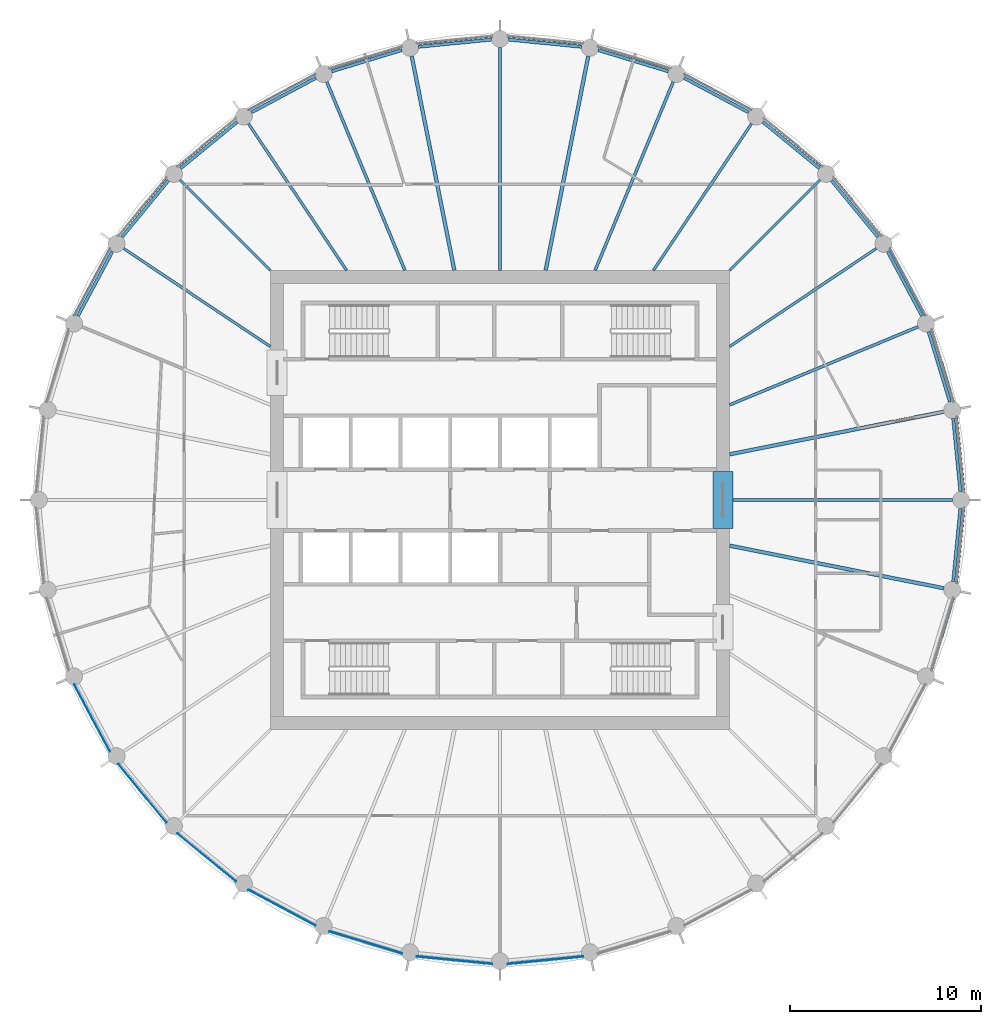
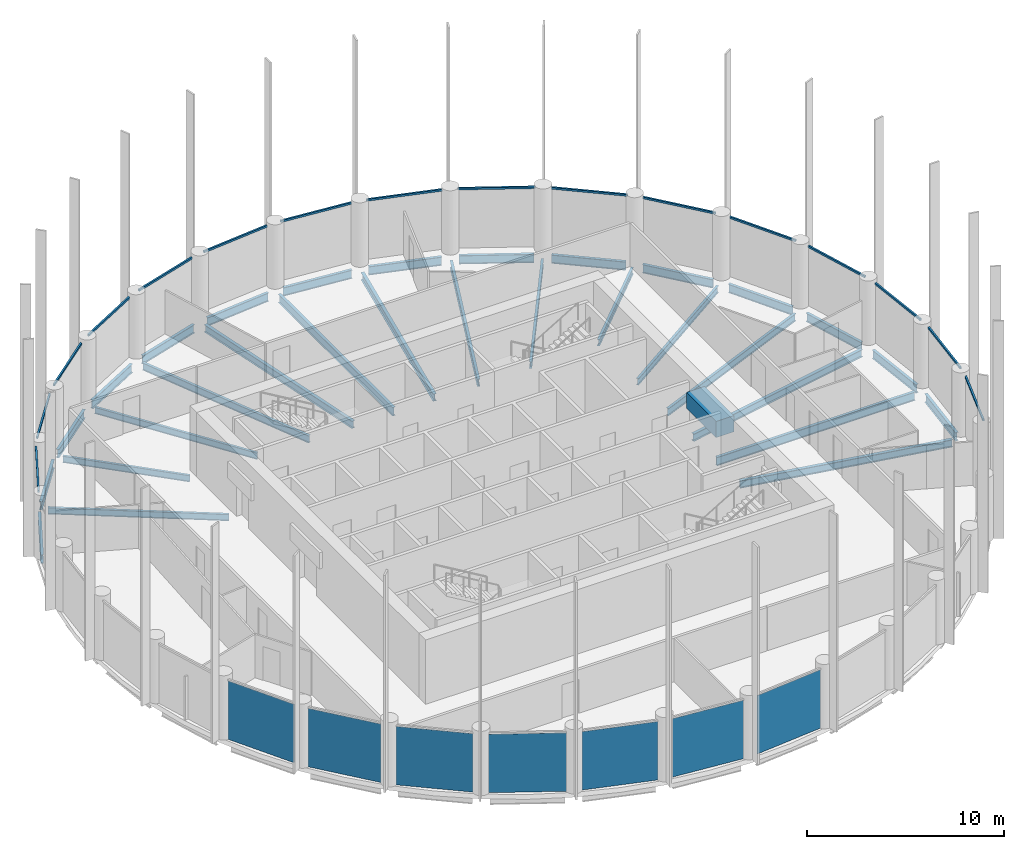
# One storey, part 2 of 7: 31 beams, 16 members, 7 plates, 23 elements without a shape of their own.
"""IFC4 building model written with IfcOpenShell, lengths in metres."""

from ifc_helpers import new_model, si_unit, direction, frame, origin, origin_2d, place, context, subcontext, project, spatial, rectangle, i_section, extrude, material, layer, layer_set, material_profile, profile_set, type_object, element, aggregate, save


model = new_model("IFC4")

# Units and contexts
model_context = context("Model", 3, precision=1e-05, world=origin(), true_north=direction((0.0, 1.0)))
body_context = subcontext(model_context, "Body", "Model", "MODEL_VIEW")
ifc_project = project(units=[si_unit("LENGTHUNIT", "METRE"), si_unit("AREAUNIT", "SQUARE_METRE"), si_unit("VOLUMEUNIT", "CUBIC_METRE"), si_unit("PLANEANGLEUNIT", "RADIAN"), si_unit("MASSUNIT", "GRAM", prefix="KILO")], contexts=[model_context])

# Site, building, storey
site_placement = place(None, origin())
site = spatial("IfcSite", under=ifc_project, at=site_placement, CompositionType="ELEMENT")
building_placement = place(site_placement, origin())
building = spatial("IfcBuilding", under=site, at=building_placement, Name="Corvane Civic Tower", CompositionType="ELEMENT")
storey_placement = place(building_placement, frame((0.0, 0.0, 311.0)))
storey = spatial("IfcBuildingStorey", under=building, at=storey_placement, Name="L74", CompositionType="ELEMENT", Elevation=311.0)

# Beams
ifc_material_1 = material(Name="Concrete C40/50", Category="concrete")
ifc_material_profile_1 = material_profile(ifc_material_1, rectangle(XDim=1.050048828125, YDim=1.0, at=origin_2d()), Name="COUPLING BEAM 1050X1000")
ifc_profile_set_1 = profile_set([ifc_material_profile_1], Name="Concrete C40/50")
beam_type_1 = type_object("IfcBeamType", Name="COUPLING BEAM COUPLING BEAM 1050X1000", PredefinedType="BEAM", material=ifc_profile_set_1)
beam_1_placement = place(storey_placement, frame((11.64990234375, -1.5, 2.60009765625), z_axis=(0.0, 1.0, 0.0), x_axis=(-1.0, 0.0, 0.0)))
element("IfcBeam", 1, at=beam_1_placement, inside=storey, type_object=beam_type_1, Name="BM-L74-cpl-CW-LE", PredefinedType="BEAM", context=body_context, shape_type="SweptSolid", body=[
    extrude(rectangle(XDim=1.050048828125, YDim=1.0, at=origin_2d()), origin(), (0.0, 0.0, 1.0), 3.0),
])
ifc_material_2 = material(Name="Steel ASTM A992 Gr 50", Category="steel")
ifc_material_profile_2 = material_profile(ifc_material_2, i_section(OverallWidth=0.165771484375, OverallDepth=0.5283203125, WebThickness=0.009765625, FlangeThickness=0.013671875, at=origin_2d()), Name="W21X50")
ifc_profile_set_2 = profile_set([ifc_material_profile_2], Name="Steel ASTM A992 Gr 50")
beam_type_2 = type_object("IfcBeamType", Name="EDGE BEAM W21X50", PredefinedType="BEAM", material=ifc_profile_set_2)
for number, where, z_axis, x_axis, name in (
    (2, (0.44775390625, 24.055908203125, -0.564208984375), (0.995187721162, -0.097986732007, 0.0), (0.097986732007, 0.995187721162, 0.0), "BM-L74-E01"),
    (3, (5.13232421875, 23.50634765625, -0.564208984375), (0.95692555902, -0.290333385085, 0.0), (0.290333385085, 0.95692555902, 0.0), "BM-L74-E02"),
):
    element("IfcBeam", number, at=place(storey_placement, frame(where, z_axis=z_axis, x_axis=x_axis)), inside=storey, type_object=beam_type_2, Name=name, PredefinedType="BEAM", context=body_context, shape_type="SweptSolid", body=[
        extrude(i_section(OverallWidth=0.165771484375, OverallDepth=0.5283203125, WebThickness=0.009765625, FlangeThickness=0.013671875, at=origin_2d()), origin(), (0.0, 0.0, 1.0), 3.824462890625),
    ])
beam_2_placement = place(storey_placement, frame((9.61962890625, 22.05322265625, -0.564208984375), z_axis=(0.881914279413, -0.471409804487, 0.0), x_axis=(0.471409804487, 0.881914279413, 0.0)))
element("IfcBeam", 4, at=beam_2_placement, inside=storey, type_object=beam_type_2, Name="BM-L74-E03", PredefinedType="BEAM", context=body_context, shape_type="SweptSolid", body=[
    extrude(i_section(OverallWidth=0.165771484375, OverallDepth=0.5283203125, WebThickness=0.009765625, FlangeThickness=0.013671875, at=origin_2d()), origin(), (0.0, 0.0, 1.0), 3.82421875),
])
for number, where, z_axis, x_axis, name in (
    (5, (13.737060546875, 19.7529296875, -0.564208984375), (0.772997914867, -0.634408562057, 0.0), (0.634408562057, 0.772997914867, 0.0), "BM-L74-E04"),
    (6, (17.32666015625, 16.693359375, -0.564208984375), (0.634408562057, -0.772997914867, 0.0), (0.772997914867, 0.634408562057, 0.0), "BM-L74-E05"),
):
    element("IfcBeam", number, at=place(storey_placement, frame(where, z_axis=z_axis, x_axis=x_axis)), inside=storey, type_object=beam_type_2, Name=name, PredefinedType="BEAM", context=body_context, shape_type="SweptSolid", body=[
        extrude(i_section(OverallWidth=0.165771484375, OverallDepth=0.5283203125, WebThickness=0.009765625, FlangeThickness=0.013671875, at=origin_2d()), origin(), (0.0, 0.0, 1.0), 3.824462890625),
    ])
beam_3_placement = place(storey_placement, frame((20.25048828125, 12.9921875, -0.564208984375), z_axis=(0.471409804487, -0.881914279413, 0.0), x_axis=(0.881914279413, 0.471409804487, 0.0)))
element("IfcBeam", 7, at=beam_3_placement, inside=storey, type_object=beam_type_2, Name="BM-L74-E06", PredefinedType="BEAM", context=body_context, shape_type="SweptSolid", body=[
    extrude(i_section(OverallWidth=0.165771484375, OverallDepth=0.5283203125, WebThickness=0.009765625, FlangeThickness=0.013671875, at=origin_2d()), origin(), (0.0, 0.0, 1.0), 3.82421875),
])
for number, where, z_axis, x_axis, name in (
    (8, (22.39599609375, 8.7919921875, -0.564208984375), (0.290333385085, -0.95692555902, 0.0), (0.95692555902, 0.290333385085, 0.0), "BM-L74-E07"),
    (9, (23.68115234375, 4.25390625, -0.564208984375), (0.097986732007, -0.995187721162, 0.0), (0.995187721162, 0.097986732007, 0.0), "BM-L74-E08"),
    (10, (24.055908203125, -0.44775390625, -0.564208984375), (-0.097986732007, -0.995187721162, 0.0), (0.995187721162, -0.097986732007, 0.0), "BM-L74-E09"),
):
    element("IfcBeam", number, at=place(storey_placement, frame(where, z_axis=z_axis, x_axis=x_axis)), inside=storey, type_object=beam_type_2, Name=name, PredefinedType="BEAM", context=body_context, shape_type="SweptSolid", body=[
        extrude(i_section(OverallWidth=0.165771484375, OverallDepth=0.5283203125, WebThickness=0.009765625, FlangeThickness=0.013671875, at=origin_2d()), origin(), (0.0, 0.0, 1.0), 3.824462890625),
    ])
beam_4_placement = place(storey_placement, frame((-22.05322265625, 9.61962890625, -0.564208984375), z_axis=(0.471409804487, 0.881914279413, 0.0), x_axis=(-0.881914279413, 0.471409804487, 0.0)))
element("IfcBeam", 11, at=beam_4_placement, inside=storey, type_object=beam_type_2, Name="BM-L74-E27", PredefinedType="BEAM", context=body_context, shape_type="SweptSolid", body=[
    extrude(i_section(OverallWidth=0.165771484375, OverallDepth=0.5283203125, WebThickness=0.009765625, FlangeThickness=0.013671875, at=origin_2d()), origin(), (0.0, 0.0, 1.0), 3.82421875),
])
for number, where, z_axis, x_axis, name in (
    (12, (-19.7529296875, 13.737060546875, -0.564208984375), (0.634408562057, 0.772997914867, 0.0), (-0.772997914867, 0.634408562057, 0.0), "BM-L74-E28"),
    (13, (-16.693359375, 17.32666015625, -0.564208984375), (0.772997914867, 0.634408562057, 0.0), (-0.634408562057, 0.772997914867, 0.0), "BM-L74-E29"),
):
    element("IfcBeam", number, at=place(storey_placement, frame(where, z_axis=z_axis, x_axis=x_axis)), inside=storey, type_object=beam_type_2, Name=name, PredefinedType="BEAM", context=body_context, shape_type="SweptSolid", body=[
        extrude(i_section(OverallWidth=0.165771484375, OverallDepth=0.5283203125, WebThickness=0.009765625, FlangeThickness=0.013671875, at=origin_2d()), origin(), (0.0, 0.0, 1.0), 3.824462890625),
    ])
beam_5_placement = place(storey_placement, frame((-12.9921875, 20.25048828125, -0.564208984375), z_axis=(0.881914279413, 0.471409804487, 0.0), x_axis=(-0.471409804487, 0.881914279413, 0.0)))
element("IfcBeam", 14, at=beam_5_placement, inside=storey, type_object=beam_type_2, Name="BM-L74-E30", PredefinedType="BEAM", context=body_context, shape_type="SweptSolid", body=[
    extrude(i_section(OverallWidth=0.165771484375, OverallDepth=0.5283203125, WebThickness=0.009765625, FlangeThickness=0.013671875, at=origin_2d()), origin(), (0.0, 0.0, 1.0), 3.82421875),
])
for number, where, z_axis, x_axis, name in (
    (15, (-8.7919921875, 22.39599609375, -0.564208984375), (0.95692555902, 0.290333385085, 0.0), (-0.290333385085, 0.95692555902, 0.0), "BM-L74-E31"),
    (16, (-4.25390625, 23.68115234375, -0.564208984375), (0.995187721162, 0.097986732007, 0.0), (-0.097986732007, 0.995187721162, 0.0), "BM-L74-E32"),
):
    element("IfcBeam", number, at=place(storey_placement, frame(where, z_axis=z_axis, x_axis=x_axis)), inside=storey, type_object=beam_type_2, Name=name, PredefinedType="BEAM", context=body_context, shape_type="SweptSolid", body=[
        extrude(i_section(OverallWidth=0.165771484375, OverallDepth=0.5283203125, WebThickness=0.009765625, FlangeThickness=0.013671875, at=origin_2d()), origin(), (0.0, 0.0, 1.0), 3.824462890625),
    ])
ifc_material_3 = material(Name="Steel ASTM A992 Gr 50", Category="steel")
ifc_material_profile_3 = material_profile(ifc_material_3, i_section(OverallWidth=0.140380859375, OverallDepth=0.40380859375, WebThickness=0.007080078125, FlangeThickness=0.01123046875, at=origin_2d()), Name="W16X31")
ifc_profile_set_3 = profile_set([ifc_material_profile_3], Name="Steel ASTM A992 Gr 50")
beam_type_3 = type_object("IfcBeamType", Name="FLOOR GIRDER W16X31", PredefinedType="BEAM", material=ifc_profile_set_3)
beam_6_placement = place(storey_placement, frame((8.01806640625, 12.0, -0.501953125), z_axis=(0.555567816355, 0.831471227061, 0.0), x_axis=(-0.831471227061, 0.555567816355, 0.0)))
element("IfcBeam", 17, at=beam_6_placement, inside=storey, type_object=beam_type_3, Name="BM-L74-G04", PredefinedType="BEAM", context=body_context, shape_type="SweptSolid", body=[
    extrude(i_section(OverallWidth=0.140380859375, OverallDepth=0.40380859375, WebThickness=0.007080078125, FlangeThickness=0.01123046875, at=origin_2d()), origin(), (0.0, 0.0, 1.0), 9.2177734375),
])
beam_7_placement = place(storey_placement, frame((12.0, 12.0, -0.501953125), z_axis=(0.707106781187, 0.707106781187, 0.0), x_axis=(-0.707106781187, 0.707106781187, 0.0)))
element("IfcBeam", 18, at=beam_7_placement, inside=storey, type_object=beam_type_3, Name="BM-L74-G05", PredefinedType="BEAM", context=body_context, shape_type="SweptSolid", body=[
    extrude(i_section(OverallWidth=0.140380859375, OverallDepth=0.40380859375, WebThickness=0.007080078125, FlangeThickness=0.01123046875, at=origin_2d()), origin(), (0.0, 0.0, 1.0), 6.679443359375),
])
for number, where, z_axis, x_axis, name in (
    (19, (12.0, 8.01806640625, -0.501953125), (0.831471227061, 0.555567816355, 0.0), (-0.555567816355, 0.831471227061, 0.0), "BM-L74-G06"),
    (20, (-12.0, 8.01806640625, -0.501953125), (-0.831471227061, 0.555567816355, 0.0), (-0.555567816355, -0.831471227061, 0.0), "BM-L74-G28"),
):
    element("IfcBeam", number, at=place(storey_placement, frame(where, z_axis=z_axis, x_axis=x_axis)), inside=storey, type_object=beam_type_3, Name=name, PredefinedType="BEAM", context=body_context, shape_type="SweptSolid", body=[
        extrude(i_section(OverallWidth=0.140380859375, OverallDepth=0.40380859375, WebThickness=0.007080078125, FlangeThickness=0.01123046875, at=origin_2d()), origin(), (0.0, 0.0, 1.0), 9.2177734375),
    ])
beam_8_placement = place(storey_placement, frame((-12.0, 12.0, -0.501953125), z_axis=(-0.707106781187, 0.707106781187, 0.0), x_axis=(-0.707106781187, -0.707106781187, 0.0)))
element("IfcBeam", 21, at=beam_8_placement, inside=storey, type_object=beam_type_3, Name="BM-L74-G29", PredefinedType="BEAM", context=body_context, shape_type="SweptSolid", body=[
    extrude(i_section(OverallWidth=0.140380859375, OverallDepth=0.40380859375, WebThickness=0.007080078125, FlangeThickness=0.01123046875, at=origin_2d()), origin(), (0.0, 0.0, 1.0), 6.679443359375),
])
beam_9_placement = place(storey_placement, frame((-8.01806640625, 12.0, -0.501953125), z_axis=(-0.555567816355, 0.831471227061, 0.0), x_axis=(-0.831471227061, -0.555567816355, 0.0)))
element("IfcBeam", 22, at=beam_9_placement, inside=storey, type_object=beam_type_3, Name="BM-L74-G30", PredefinedType="BEAM", context=body_context, shape_type="SweptSolid", body=[
    extrude(i_section(OverallWidth=0.140380859375, OverallDepth=0.40380859375, WebThickness=0.007080078125, FlangeThickness=0.01123046875, at=origin_2d()), origin(), (0.0, 0.0, 1.0), 9.2177734375),
])
ifc_material_4 = material(Name="Steel ASTM A992 Gr 50", Category="steel")
ifc_material_profile_4 = material_profile(ifc_material_4, i_section(OverallWidth=0.15283203125, OverallDepth=0.45458984375, WebThickness=0.008056640625, FlangeThickness=0.013427734375, at=origin_2d()), Name="W18X40")
ifc_profile_set_4 = profile_set([ifc_material_profile_4], Name="Steel ASTM A992 Gr 50")
beam_type_4 = type_object("IfcBeamType", Name="FLOOR GIRDER W18X40", PredefinedType="BEAM", material=ifc_profile_set_4)
for number, where, z_axis, x_axis, name in (
    (23, (4.970458984375, 12.0, -0.52734375), (0.382694257331, 0.923875048589, 0.0), (-0.923875048589, 0.382694257331, 0.0), "BM-L74-G03"),
    (24, (12.0, 4.970458984375, -0.52734375), (0.923875048589, 0.382694257331, 0.0), (-0.382694257331, 0.923875048589, 0.0), "BM-L74-G07"),
    (25, (-4.970458984375, 12.0, -0.52734375), (-0.382694257331, 0.923875048589, 0.0), (-0.923875048589, -0.382694257331, 0.0), "BM-L74-G31"),
):
    element("IfcBeam", number, at=place(storey_placement, frame(where, z_axis=z_axis, x_axis=x_axis)), inside=storey, type_object=beam_type_4, Name=name, PredefinedType="BEAM", context=body_context, shape_type="SweptSolid", body=[
        extrude(i_section(OverallWidth=0.15283203125, OverallDepth=0.45458984375, WebThickness=0.008056640625, FlangeThickness=0.013427734375, at=origin_2d()), origin(), (0.0, 0.0, 1.0), 10.661376953125),
    ])
ifc_material_5 = material(Name="Steel ASTM A992 Gr 50", Category="steel")
ifc_material_profile_5 = material_profile(ifc_material_5, i_section(OverallWidth=0.1904296875, OverallDepth=0.457275390625, WebThickness=0.009033203125, FlangeThickness=0.014404296875, at=origin_2d()), Name="W18X50")
ifc_profile_set_5 = profile_set([ifc_material_profile_5], Name="Steel ASTM A992 Gr 50")
beam_type_5 = type_object("IfcBeamType", Name="FLOOR GIRDER W18X50", PredefinedType="BEAM", material=ifc_profile_set_5)
for number, where, z_axis, x_axis, name in (
    (26, (2.386962890625, 12.0, -0.528564453125), (0.195079532402, 0.980787426529, 0.0), (-0.980787426529, 0.195079532402, 0.0), "BM-L74-G02"),
    (27, (12.0, 2.386962890625, -0.528564453125), (0.980787426529, 0.195079532402, 0.0), (-0.195079532402, 0.980787426529, 0.0), "BM-L74-G08"),
    (28, (12.0, -2.386962890625, -0.528564453125), (0.980787426529, -0.195079532402, 0.0), (0.195079532402, 0.980787426529, 0.0), "BM-L74-G10"),
    (29, (-2.386962890625, 12.0, -0.528564453125), (-0.195079532402, 0.980787426529, 0.0), (-0.980787426529, -0.195079532402, 0.0), "BM-L74-G32"),
):
    element("IfcBeam", number, at=place(storey_placement, frame(where, z_axis=z_axis, x_axis=x_axis)), inside=storey, type_object=beam_type_5, Name=name, PredefinedType="BEAM", context=body_context, shape_type="SweptSolid", body=[
        extrude(i_section(OverallWidth=0.1904296875, OverallDepth=0.457275390625, WebThickness=0.009033203125, FlangeThickness=0.014404296875, at=origin_2d()), origin(), (0.0, 0.0, 1.0), 11.414794921875),
    ])
ifc_material_6 = material(Name="Steel ASTM A992 Gr 50", Category="steel")
ifc_material_profile_6 = material_profile(ifc_material_6, i_section(OverallWidth=0.165771484375, OverallDepth=0.5283203125, WebThickness=0.009765625, FlangeThickness=0.013671875, at=origin_2d()), Name="W21X50")
ifc_profile_set_6 = profile_set([ifc_material_profile_6], Name="Steel ASTM A992 Gr 50")
beam_type_6 = type_object("IfcBeamType", Name="FLOOR GIRDER W21X50", PredefinedType="BEAM", material=ifc_profile_set_6)
for number, where, z_axis, x_axis, name in (
    (30, (0.0, 12.0, -0.564208984375), (0.0, 1.0, 0.0), (-1.0, 0.0, 0.0), "BM-L74-G01"),
    (31, (12.0, 0.0, -0.564208984375), (1.0, 0.0, 0.0), (0.0, 1.0, 0.0), "BM-L74-G09"),
):
    element("IfcBeam", number, at=place(storey_placement, frame(where, z_axis=z_axis, x_axis=x_axis)), inside=storey, type_object=beam_type_6, Name=name, PredefinedType="BEAM", context=body_context, shape_type="SweptSolid", body=[
        extrude(i_section(OverallWidth=0.165771484375, OverallDepth=0.5283203125, WebThickness=0.009765625, FlangeThickness=0.013671875, at=origin_2d()), origin(), (0.0, 0.0, 1.0), 11.64990234375),
    ])

# Curtain wall, member
ifc_material_7 = material(Name="Anodised aluminium bronze", Category="aluminium")
curtain_wall_type = type_object("IfcCurtainWallType", Name="TOWER CW-T3 STICK CURTAIN WALL", PredefinedType="NOTDEFINED", material=ifc_material_7)
curtain_wall_1_placement = place(storey_placement, origin())
curtain_wall_1 = element("IfcCurtainWall", 32, at=curtain_wall_1_placement, inside=storey, type_object=curtain_wall_type, Name="Curtain wall CW-T3 L74 bay 01", PredefinedType="NOTDEFINED")
ifc_material_8 = material(Name="Anodised aluminium bronze", Category="aluminium")
ifc_material_profile_7 = material_profile(ifc_material_8, rectangle(XDim=0.10009765625, YDim=0.1201171875, at=origin_2d()), Name="TOWER CW-T3 TRANSOM 100x120")
ifc_profile_set_7 = profile_set([ifc_material_profile_7], Name="Anodised aluminium bronze")
member_type = type_object("IfcMemberType", Name="TOWER CW-T3 TRANSOM 100x120", PredefinedType="USERDEFINED", material=ifc_profile_set_7)
member_1_placement = place(storey_placement, frame((0.3984375, 24.24072265625, 3.68994140625), z_axis=(0.995186866683, -0.097995409999, 0.0), x_axis=(0.097995409999, 0.995186866683, 0.0)))
member_1 = element("IfcMember", 33, at=member_1_placement, type_object=member_type, Name="Transom CW-T3 L74 01.1", ObjectType="TRANSOM", PredefinedType="USERDEFINED", context=body_context, shape_type="SweptSolid", body=[
    extrude(rectangle(XDim=0.10009765625, YDim=0.1201171875, at=origin_2d()), origin(), (0.0, 0.0, 1.0), 3.958740234375),
])
aggregate(curtain_wall_1, [member_1])

curtain_wall_2_placement = place(storey_placement, origin())
curtain_wall_2 = element("IfcCurtainWall", 34, at=curtain_wall_2_placement, inside=storey, type_object=curtain_wall_type, Name="Curtain wall CW-T3 L74 bay 02", PredefinedType="NOTDEFINED")
member_2_placement = place(storey_placement, frame((5.119873046875, 23.697265625, 3.68994140625), z_axis=(0.956946054205, -0.290265825309, 0.0), x_axis=(0.290265825309, 0.956946054205, 0.0)))
member_2 = element("IfcMember", 35, at=member_2_placement, type_object=member_type, Name="Transom CW-T3 L74 02.1", ObjectType="TRANSOM", PredefinedType="USERDEFINED", context=body_context, shape_type="SweptSolid", body=[
    extrude(rectangle(XDim=0.10009765625, YDim=0.1201171875, at=origin_2d()), origin(), (0.0, 0.0, 1.0), 3.958984375),
])
aggregate(curtain_wall_2, [member_2])

curtain_wall_3_placement = place(storey_placement, origin())
curtain_wall_3 = element("IfcCurtainWall", 36, at=curtain_wall_3_placement, inside=storey, type_object=curtain_wall_type, Name="Curtain wall CW-T3 L74 bay 03", PredefinedType="NOTDEFINED")
member_3_placement = place(storey_placement, frame((9.644775390625, 22.2431640625, 3.68994140625), z_axis=(0.881883040816, -0.471468241052, 0.0), x_axis=(0.471468241052, 0.881883040816, 0.0)))
member_3 = element("IfcMember", 37, at=member_3_placement, type_object=member_type, Name="Transom CW-T3 L74 03.1", ObjectType="TRANSOM", PredefinedType="USERDEFINED", context=body_context, shape_type="SweptSolid", body=[
    extrude(rectangle(XDim=0.10009765625, YDim=0.1201171875, at=origin_2d()), origin(), (0.0, 0.0, 1.0), 3.958740234375),
])
aggregate(curtain_wall_3, [member_3])

curtain_wall_4_placement = place(storey_placement, origin())
curtain_wall_4 = element("IfcCurtainWall", 38, at=curtain_wall_4_placement, inside=storey, type_object=curtain_wall_type, Name="Curtain wall CW-T3 L74 bay 04", PredefinedType="NOTDEFINED")
member_4_placement = place(storey_placement, frame((13.798828125, 19.93408203125, 3.68994140625), z_axis=(0.772991943051, -0.634415838373, 0.0), x_axis=(0.634415838373, 0.772991943051, 0.0)))
member_4 = element("IfcMember", 39, at=member_4_placement, type_object=member_type, Name="Transom CW-T3 L74 04.1", ObjectType="TRANSOM", PredefinedType="USERDEFINED", context=body_context, shape_type="SweptSolid", body=[
    extrude(rectangle(XDim=0.10009765625, YDim=0.1201171875, at=origin_2d()), origin(), (0.0, 0.0, 1.0), 3.958740234375),
])
aggregate(curtain_wall_4, [member_4])

curtain_wall_5_placement = place(storey_placement, origin())
curtain_wall_5 = element("IfcCurtainWall", 40, at=curtain_wall_5_placement, inside=storey, type_object=curtain_wall_type, Name="Curtain wall CW-T3 L74 bay 05", PredefinedType="NOTDEFINED")
member_5_placement = place(storey_placement, frame((17.422607421875, 16.85888671875, 3.68994140625), z_axis=(0.634415838373, -0.772991943051, 0.0), x_axis=(0.772991943051, 0.634415838373, 0.0)))
member_5 = element("IfcMember", 41, at=member_5_placement, type_object=member_type, Name="Transom CW-T3 L74 05.1", ObjectType="TRANSOM", PredefinedType="USERDEFINED", context=body_context, shape_type="SweptSolid", body=[
    extrude(rectangle(XDim=0.10009765625, YDim=0.1201171875, at=origin_2d()), origin(), (0.0, 0.0, 1.0), 3.958740234375),
])
aggregate(curtain_wall_5, [member_5])

curtain_wall_6_placement = place(storey_placement, origin())
curtain_wall_6 = element("IfcCurtainWall", 42, at=curtain_wall_6_placement, inside=storey, type_object=curtain_wall_type, Name="Curtain wall CW-T3 L74 bay 06", PredefinedType="NOTDEFINED")
member_6_placement = place(storey_placement, frame((20.376708984375, 13.135986328125, 3.68994140625), z_axis=(0.471468241052, -0.881883040816, 0.0), x_axis=(0.881883040816, 0.471468241052, 0.0)))
member_6 = element("IfcMember", 43, at=member_6_placement, type_object=member_type, Name="Transom CW-T3 L74 06.1", ObjectType="TRANSOM", PredefinedType="USERDEFINED", context=body_context, shape_type="SweptSolid", body=[
    extrude(rectangle(XDim=0.10009765625, YDim=0.1201171875, at=origin_2d()), origin(), (0.0, 0.0, 1.0), 3.958740234375),
])
aggregate(curtain_wall_6, [member_6])

curtain_wall_7_placement = place(storey_placement, origin())
curtain_wall_7 = element("IfcCurtainWall", 44, at=curtain_wall_7_placement, inside=storey, type_object=curtain_wall_type, Name="Curtain wall CW-T3 L74 bay 07", PredefinedType="NOTDEFINED")
member_7_placement = place(storey_placement, frame((22.548095703125, 8.908447265625, 3.68994140625), z_axis=(0.290265825309, -0.956946054205, 0.0), x_axis=(0.956946054205, 0.290265825309, 0.0)))
member_7 = element("IfcMember", 45, at=member_7_placement, type_object=member_type, Name="Transom CW-T3 L74 07.1", ObjectType="TRANSOM", PredefinedType="USERDEFINED", context=body_context, shape_type="SweptSolid", body=[
    extrude(rectangle(XDim=0.10009765625, YDim=0.1201171875, at=origin_2d()), origin(), (0.0, 0.0, 1.0), 3.958984375),
])
aggregate(curtain_wall_7, [member_7])

curtain_wall_8_placement = place(storey_placement, origin())
curtain_wall_8 = element("IfcCurtainWall", 46, at=curtain_wall_8_placement, inside=storey, type_object=curtain_wall_type, Name="Curtain wall CW-T3 L74 bay 08", PredefinedType="NOTDEFINED")
member_8_placement = place(storey_placement, frame((23.852783203125, 4.338134765625, 3.68994140625), z_axis=(0.097995409999, -0.995186866683, 0.0), x_axis=(0.995186866683, 0.097995409999, 0.0)))
member_8 = element("IfcMember", 47, at=member_8_placement, type_object=member_type, Name="Transom CW-T3 L74 08.1", ObjectType="TRANSOM", PredefinedType="USERDEFINED", context=body_context, shape_type="SweptSolid", body=[
    extrude(rectangle(XDim=0.10009765625, YDim=0.1201171875, at=origin_2d()), origin(), (0.0, 0.0, 1.0), 3.958740234375),
])
aggregate(curtain_wall_8, [member_8])

curtain_wall_9_placement = place(storey_placement, origin())
curtain_wall_9 = element("IfcCurtainWall", 48, at=curtain_wall_9_placement, inside=storey, type_object=curtain_wall_type, Name="Curtain wall CW-T3 L74 bay 09", PredefinedType="NOTDEFINED")
member_9_placement = place(storey_placement, frame((24.24072265625, -0.3984375, 3.68994140625), z_axis=(-0.097995409999, -0.995186866683, 0.0), x_axis=(0.995186866683, -0.097995409999, 0.0)))
member_9 = element("IfcMember", 49, at=member_9_placement, type_object=member_type, Name="Transom CW-T3 L74 09.1", ObjectType="TRANSOM", PredefinedType="USERDEFINED", context=body_context, shape_type="SweptSolid", body=[
    extrude(rectangle(XDim=0.10009765625, YDim=0.1201171875, at=origin_2d()), origin(), (0.0, 0.0, 1.0), 3.958740234375),
])
aggregate(curtain_wall_9, [member_9])

curtain_wall_10_placement = place(storey_placement, origin())
curtain_wall_10 = element("IfcCurtainWall", 50, at=curtain_wall_10_placement, inside=storey, type_object=curtain_wall_type, Name="Curtain wall CW-T3 L74 bay 10", PredefinedType="NOTDEFINED")
member_10_placement = place(storey_placement, frame((23.697265625, -5.119873046875, 3.68994140625), z_axis=(-0.290265825309, -0.956946054205, 0.0), x_axis=(0.956946054205, -0.290265825309, 0.0)))
member_10 = element("IfcMember", 51, at=member_10_placement, type_object=member_type, Name="Transom CW-T3 L74 10.1", ObjectType="TRANSOM", PredefinedType="USERDEFINED", context=body_context, shape_type="SweptSolid", body=[
    extrude(rectangle(XDim=0.10009765625, YDim=0.1201171875, at=origin_2d()), origin(), (0.0, 0.0, 1.0), 3.958984375),
])
aggregate(curtain_wall_10, [member_10])

curtain_wall_11_placement = place(storey_placement, origin())
curtain_wall_11 = element("IfcCurtainWall", 52, at=curtain_wall_11_placement, inside=storey, type_object=curtain_wall_type, Name="Curtain wall CW-T3 L74 bay 27", PredefinedType="NOTDEFINED")
member_11_placement = place(storey_placement, frame((-22.2431640625, 9.644775390625, 3.68994140625), z_axis=(0.471468241052, 0.881883040816, 0.0), x_axis=(-0.881883040816, 0.471468241052, 0.0)))
member_11 = element("IfcMember", 53, at=member_11_placement, type_object=member_type, Name="Transom CW-T3 L74 27.1", ObjectType="TRANSOM", PredefinedType="USERDEFINED", context=body_context, shape_type="SweptSolid", body=[
    extrude(rectangle(XDim=0.10009765625, YDim=0.1201171875, at=origin_2d()), origin(), (0.0, 0.0, 1.0), 3.958740234375),
])
aggregate(curtain_wall_11, [member_11])

curtain_wall_12_placement = place(storey_placement, origin())
curtain_wall_12 = element("IfcCurtainWall", 54, at=curtain_wall_12_placement, inside=storey, type_object=curtain_wall_type, Name="Curtain wall CW-T3 L74 bay 28", PredefinedType="NOTDEFINED")
member_12_placement = place(storey_placement, frame((-19.93408203125, 13.798828125, 3.68994140625), z_axis=(0.634415838373, 0.772991943051, 0.0), x_axis=(-0.772991943051, 0.634415838373, 0.0)))
member_12 = element("IfcMember", 55, at=member_12_placement, type_object=member_type, Name="Transom CW-T3 L74 28.1", ObjectType="TRANSOM", PredefinedType="USERDEFINED", context=body_context, shape_type="SweptSolid", body=[
    extrude(rectangle(XDim=0.10009765625, YDim=0.1201171875, at=origin_2d()), origin(), (0.0, 0.0, 1.0), 3.958740234375),
])
aggregate(curtain_wall_12, [member_12])

curtain_wall_13_placement = place(storey_placement, origin())
curtain_wall_13 = element("IfcCurtainWall", 56, at=curtain_wall_13_placement, inside=storey, type_object=curtain_wall_type, Name="Curtain wall CW-T3 L74 bay 29", PredefinedType="NOTDEFINED")
member_13_placement = place(storey_placement, frame((-16.85888671875, 17.422607421875, 3.68994140625), z_axis=(0.772991943051, 0.634415838373, 0.0), x_axis=(-0.634415838373, 0.772991943051, 0.0)))
member_13 = element("IfcMember", 57, at=member_13_placement, type_object=member_type, Name="Transom CW-T3 L74 29.1", ObjectType="TRANSOM", PredefinedType="USERDEFINED", context=body_context, shape_type="SweptSolid", body=[
    extrude(rectangle(XDim=0.10009765625, YDim=0.1201171875, at=origin_2d()), origin(), (0.0, 0.0, 1.0), 3.958740234375),
])
aggregate(curtain_wall_13, [member_13])

curtain_wall_14_placement = place(storey_placement, origin())
curtain_wall_14 = element("IfcCurtainWall", 58, at=curtain_wall_14_placement, inside=storey, type_object=curtain_wall_type, Name="Curtain wall CW-T3 L74 bay 30", PredefinedType="NOTDEFINED")
member_14_placement = place(storey_placement, frame((-13.135986328125, 20.376708984375, 3.68994140625), z_axis=(0.881883040816, 0.471468241052, 0.0), x_axis=(-0.471468241052, 0.881883040816, 0.0)))
member_14 = element("IfcMember", 59, at=member_14_placement, type_object=member_type, Name="Transom CW-T3 L74 30.1", ObjectType="TRANSOM", PredefinedType="USERDEFINED", context=body_context, shape_type="SweptSolid", body=[
    extrude(rectangle(XDim=0.10009765625, YDim=0.1201171875, at=origin_2d()), origin(), (0.0, 0.0, 1.0), 3.958740234375),
])
aggregate(curtain_wall_14, [member_14])

curtain_wall_15_placement = place(storey_placement, origin())
curtain_wall_15 = element("IfcCurtainWall", 60, at=curtain_wall_15_placement, inside=storey, type_object=curtain_wall_type, Name="Curtain wall CW-T3 L74 bay 31", PredefinedType="NOTDEFINED")
member_15_placement = place(storey_placement, frame((-8.908447265625, 22.548095703125, 3.68994140625), z_axis=(0.956946054205, 0.290265825309, 0.0), x_axis=(-0.290265825309, 0.956946054205, 0.0)))
member_15 = element("IfcMember", 61, at=member_15_placement, type_object=member_type, Name="Transom CW-T3 L74 31.1", ObjectType="TRANSOM", PredefinedType="USERDEFINED", context=body_context, shape_type="SweptSolid", body=[
    extrude(rectangle(XDim=0.10009765625, YDim=0.1201171875, at=origin_2d()), origin(), (0.0, 0.0, 1.0), 3.958984375),
])
aggregate(curtain_wall_15, [member_15])

curtain_wall_16_placement = place(storey_placement, origin())
curtain_wall_16 = element("IfcCurtainWall", 62, at=curtain_wall_16_placement, inside=storey, type_object=curtain_wall_type, Name="Curtain wall CW-T3 L74 bay 32", PredefinedType="NOTDEFINED")
member_16_placement = place(storey_placement, frame((-4.338134765625, 23.852783203125, 3.68994140625), z_axis=(0.995186866683, 0.097995409999, 0.0), x_axis=(-0.097995409999, 0.995186866683, 0.0)))
member_16 = element("IfcMember", 63, at=member_16_placement, type_object=member_type, Name="Transom CW-T3 L74 32.1", ObjectType="TRANSOM", PredefinedType="USERDEFINED", context=body_context, shape_type="SweptSolid", body=[
    extrude(rectangle(XDim=0.10009765625, YDim=0.1201171875, at=origin_2d()), origin(), (0.0, 0.0, 1.0), 3.958740234375),
])
aggregate(curtain_wall_16, [member_16])

# Curtain wall, plate
curtain_wall_17_placement = place(storey_placement, origin())
curtain_wall_17 = element("IfcCurtainWall", 64, at=curtain_wall_17_placement, inside=storey, type_object=curtain_wall_type, Name="Curtain wall CW-T3 L74 bay 16", PredefinedType="NOTDEFINED")
ifc_material_9 = material(Name="Tinted glass", Category="glass")
ifc_layer = layer(ifc_material_9, 0.028076171875)
ifc_layer_set = layer_set([ifc_layer], Name="Tinted glass")
plate_type = type_object("IfcPlateType", Name="TOWER CW-T3 PANEL IGU28", PredefinedType="CURTAIN_PANEL", material=ifc_layer_set)
plate_1_placement = place(storey_placement, frame((2.368408203125, -24.046875, 0.0), z_axis=(0.0, 0.0, 1.0), x_axis=(-0.99518437747, -0.098020685775, 0.0)))
plate_1 = element("IfcPlate", 65, at=plate_1_placement, type_object=plate_type, Name="Glass panel CW-T3 L74 16.1", PredefinedType="CURTAIN_PANEL", context=body_context, shape_type="SweptSolid", body=[
    extrude(rectangle(XDim=3.958740234375, YDim=0.028076171875, at=origin_2d()), origin(), (0.0, 0.0, 1.0), 3.6298828125),
])
aggregate(curtain_wall_17, [plate_1])

curtain_wall_18_placement = place(storey_placement, origin())
curtain_wall_18 = element("IfcCurtainWall", 66, at=curtain_wall_18_placement, inside=storey, type_object=curtain_wall_type, Name="Curtain wall CW-T3 L74 bay 17", PredefinedType="NOTDEFINED")
plate_2_placement = place(storey_placement, frame((-2.368408203125, -24.046875, 0.0), z_axis=(0.0, 0.0, 1.0), x_axis=(-0.99518437747, 0.098020685775, 0.0)))
plate_2 = element("IfcPlate", 67, at=plate_2_placement, type_object=plate_type, Name="Glass panel CW-T3 L74 17.1", PredefinedType="CURTAIN_PANEL", context=body_context, shape_type="SweptSolid", body=[
    extrude(rectangle(XDim=3.958740234375, YDim=0.028076171875, at=origin_2d()), origin(), (0.0, 0.0, 1.0), 3.6298828125),
])
aggregate(curtain_wall_18, [plate_2])

curtain_wall_19_placement = place(storey_placement, origin())
curtain_wall_19 = element("IfcCurtainWall", 68, at=curtain_wall_19_placement, inside=storey, type_object=curtain_wall_type, Name="Curtain wall CW-T3 L74 bay 18", PredefinedType="NOTDEFINED")
plate_3_placement = place(storey_placement, frame((-7.01416015625, -23.12255859375, 0.0), z_axis=(0.0, 0.0, 1.0), x_axis=(-0.956943694519, 0.290273604586, 0.0)))
plate_3 = element("IfcPlate", 69, at=plate_3_placement, type_object=plate_type, Name="Glass panel CW-T3 L74 18.1", PredefinedType="CURTAIN_PANEL", context=body_context, shape_type="SweptSolid", body=[
    extrude(rectangle(XDim=3.958984375, YDim=0.028076171875, at=origin_2d()), origin(), (0.0, 0.0, 1.0), 3.6298828125),
])
aggregate(curtain_wall_19, [plate_3])

curtain_wall_20_placement = place(storey_placement, origin())
curtain_wall_20 = element("IfcCurtainWall", 70, at=curtain_wall_20_placement, inside=storey, type_object=curtain_wall_type, Name="Curtain wall CW-T3 L74 bay 19", PredefinedType="NOTDEFINED")
plate_4_placement = place(storey_placement, frame((-11.390380859375, -21.31005859375, 0.0), z_axis=(0.0, 0.0, 1.0), x_axis=(-0.881908138655, 0.471421292448, 0.0)))
plate_4 = element("IfcPlate", 71, at=plate_4_placement, type_object=plate_type, Name="Glass panel CW-T3 L74 19.1", PredefinedType="CURTAIN_PANEL", context=body_context, shape_type="SweptSolid", body=[
    extrude(rectangle(XDim=3.958740234375, YDim=0.028076171875, at=origin_2d()), origin(), (0.0, 0.0, 1.0), 3.6298828125),
])
aggregate(curtain_wall_20, [plate_4])

curtain_wall_21_placement = place(storey_placement, origin())
curtain_wall_21 = element("IfcCurtainWall", 72, at=curtain_wall_21_placement, inside=storey, type_object=curtain_wall_type, Name="Curtain wall CW-T3 L74 bay 20", PredefinedType="NOTDEFINED")
plate_5_placement = place(storey_placement, frame((-15.328857421875, -18.67822265625, 0.0), z_axis=(0.0, 0.0, 1.0), x_axis=(-0.773001130565, 0.634404643855, 0.0)))
plate_5 = element("IfcPlate", 73, at=plate_5_placement, type_object=plate_type, Name="Glass panel CW-T3 L74 20.1", PredefinedType="CURTAIN_PANEL", context=body_context, shape_type="SweptSolid", body=[
    extrude(rectangle(XDim=3.958740234375, YDim=0.028076171875, at=origin_2d()), origin(), (0.0, 0.0, 1.0), 3.6298828125),
])
aggregate(curtain_wall_21, [plate_5])

curtain_wall_22_placement = place(storey_placement, origin())
curtain_wall_22 = element("IfcCurtainWall", 74, at=curtain_wall_22_placement, inside=storey, type_object=curtain_wall_type, Name="Curtain wall CW-T3 L74 bay 21", PredefinedType="NOTDEFINED")
plate_6_placement = place(storey_placement, frame((-18.67822265625, -15.328857421875, 0.0), z_axis=(0.0, 0.0, 1.0), x_axis=(-0.634404643855, 0.773001130565, 0.0)))
plate_6 = element("IfcPlate", 75, at=plate_6_placement, type_object=plate_type, Name="Glass panel CW-T3 L74 21.1", PredefinedType="CURTAIN_PANEL", context=body_context, shape_type="SweptSolid", body=[
    extrude(rectangle(XDim=3.958740234375, YDim=0.028076171875, at=origin_2d()), origin(), (0.0, 0.0, 1.0), 3.6298828125),
])
aggregate(curtain_wall_22, [plate_6])

curtain_wall_23_placement = place(storey_placement, origin())
curtain_wall_23 = element("IfcCurtainWall", 76, at=curtain_wall_23_placement, inside=storey, type_object=curtain_wall_type, Name="Curtain wall CW-T3 L74 bay 22", PredefinedType="NOTDEFINED")
plate_7_placement = place(storey_placement, frame((-21.31005859375, -11.390380859375, 0.0), z_axis=(0.0, 0.0, 1.0), x_axis=(-0.471421292448, 0.881908138655, 0.0)))
plate_7 = element("IfcPlate", 77, at=plate_7_placement, type_object=plate_type, Name="Glass panel CW-T3 L74 22.1", PredefinedType="CURTAIN_PANEL", context=body_context, shape_type="SweptSolid", body=[
    extrude(rectangle(XDim=3.958740234375, YDim=0.028076171875, at=origin_2d()), origin(), (0.0, 0.0, 1.0), 3.6298828125),
])
aggregate(curtain_wall_23, [plate_7])

save(model, "model.ifc")
